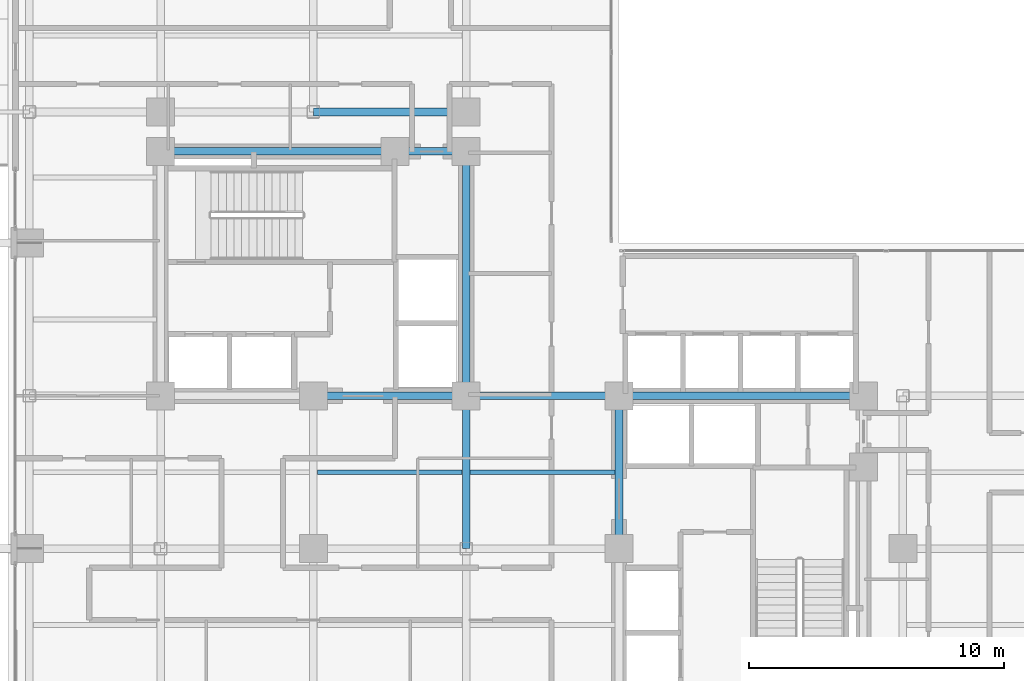
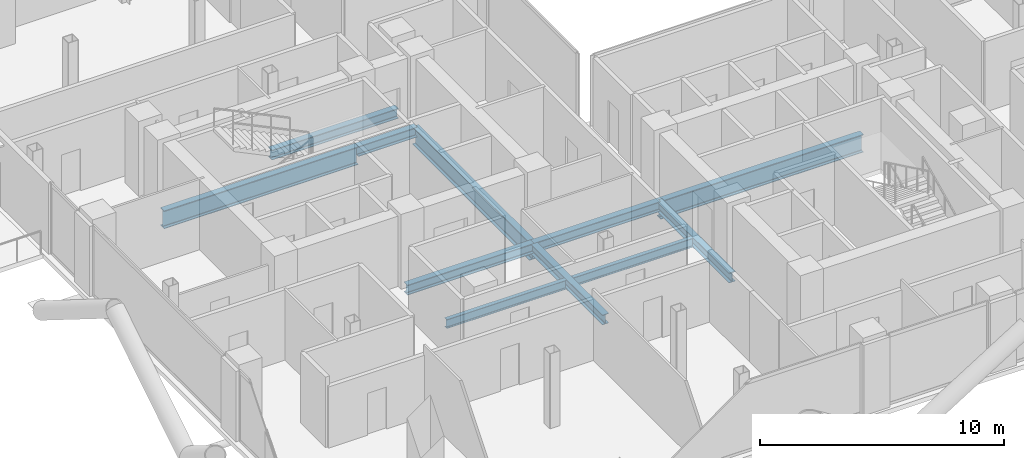
# One storey, part 8 of 28: 11 beams.
"""IFC4 building model written with IfcOpenShell, lengths in metres."""

from ifc_helpers import new_model, si_unit, direction, frame, origin, origin_2d, place, context, subcontext, project, spatial, i_section, extrude, material, material_profile, profile_set, type_object, element, save


model = new_model("IFC4")

# Units and contexts
model_context = context("Model", 3, precision=1e-05, world=origin(), true_north=direction((0.0, 1.0)))
body_context = subcontext(model_context, "Body", "Model", "MODEL_VIEW")
ifc_project = project(units=[si_unit("LENGTHUNIT", "METRE"), si_unit("AREAUNIT", "SQUARE_METRE"), si_unit("VOLUMEUNIT", "CUBIC_METRE"), si_unit("PLANEANGLEUNIT", "RADIAN"), si_unit("MASSUNIT", "GRAM", prefix="KILO"), si_unit("THERMODYNAMICTEMPERATUREUNIT", "KELVIN"), si_unit("POWERUNIT", "WATT")], contexts=[model_context])

# Site, building, storey
site_placement = place(None, origin())
site = spatial("IfcSite", under=ifc_project, at=site_placement, CompositionType="ELEMENT")
building_placement = place(site_placement, origin())
building = spatial("IfcBuilding", under=site, at=building_placement, Name="Svarakhadi Broadcast Tower", CompositionType="ELEMENT")
storey_placement = place(building_placement, frame((0.0, 0.0, 138.14990234375)))
storey = spatial("IfcBuildingStorey", under=building, at=storey_placement, Name="L33", CompositionType="ELEMENT", Elevation=138.14990234375)

# Beams
ifc_material_1 = material(Name="Steel S355J2 (IS 2062 E350C)", Category="steel")
ifc_material_profile_1 = material_profile(ifc_material_1, i_section(OverallWidth=0.18994140625, OverallDepth=0.449951171875, WebThickness=0.009521484375, FlangeThickness=0.0146484375, FilletRadius=0.02099609375, at=origin_2d()), Name="NPB 450x190x78")
ifc_profile_set_1 = profile_set([ifc_material_profile_1], Name="Steel S355J2 (IS 2062 E350C)")
beam_type_1 = type_object("IfcBeamType", Name="Beam_NPB450", PredefinedType="BEAM", material=ifc_profile_set_1)
for number, where, z_axis, x_axis, name in (
    (1, (12.159912109375, 15.0, -0.449951171875), (1.0, 0.0, 0.0), (0.0, 1.0, 0.0), "L33 Secondary Composite Beam SB013"),
    (2, (18.159912109375, 15.0, -0.449951171875), (1.0, 0.0, 0.0), (0.0, 1.0, 0.0), "L33 Secondary Composite Beam SB018"),
):
    element("IfcBeam", number, at=place(storey_placement, frame(where, z_axis=z_axis, x_axis=x_axis)), inside=storey, type_object=beam_type_1, Name=name, PredefinedType="BEAM", context=body_context, shape_type="SweptSolid", body=[
        extrude(i_section(OverallWidth=0.18994140625, OverallDepth=0.449951171875, WebThickness=0.009521484375, FlangeThickness=0.0146484375, FilletRadius=0.02099609375, at=origin_2d()), origin(), (0.0, 0.0, 1.0), 5.68017578125),
    ])
ifc_material_profile_2 = material_profile(ifc_material_1, i_section(OverallWidth=0.300048828125, OverallDepth=0.5, WebThickness=0.014404296875, FlangeThickness=0.028076171875, FilletRadius=0.027099609375, at=origin_2d()), Name="WPB 500x300x187")
ifc_profile_set_2 = profile_set([ifc_material_profile_2], Name="Steel S355J2 (IS 2062 E350C)")
beam_type_2 = type_object("IfcBeamType", Name="Girder_WPB500", PredefinedType="USERDEFINED", material=ifc_profile_set_2)
for number, where, z_axis, x_axis, name in (
    (3, (12.0, 18.0, -0.474853515625), (1.0, 0.0, 0.0), (0.0, 1.0, 0.0), "L33 Primary E-W Girder G025"),
    (4, (18.0, 18.0, -0.474853515625), (1.0, 0.0, 0.0), (0.0, 1.0, 0.0), "L33 Primary E-W Girder G026"),
):
    element("IfcBeam", number, at=place(storey_placement, frame(where, z_axis=z_axis, x_axis=x_axis)), inside=storey, type_object=beam_type_2, Name=name, ObjectType="GIRDER", PredefinedType="USERDEFINED", context=body_context, shape_type="SweptSolid", body=[
        extrude(i_section(OverallWidth=0.300048828125, OverallDepth=0.5, WebThickness=0.014404296875, FlangeThickness=0.028076171875, FilletRadius=0.027099609375, at=origin_2d()), origin(), (0.0, 0.0, 1.0), 6.0),
    ])
beam_1_placement = place(storey_placement, frame((15.199951171875, 27.60009765625, -0.474853515625), z_axis=(1.0, 0.0, 0.0), x_axis=(0.0, 1.0, 0.0)))
element("IfcBeam", 5, at=beam_1_placement, inside=storey, type_object=beam_type_2, Name="L33 Primary E-W Girder G031", ObjectType="GIRDER", PredefinedType="USERDEFINED", context=body_context, shape_type="SweptSolid", body=[
    extrude(i_section(OverallWidth=0.300048828125, OverallDepth=0.5, WebThickness=0.014404296875, FlangeThickness=0.028076171875, FilletRadius=0.027099609375, at=origin_2d()), origin(), (0.0, 0.0, 1.0), 2.800048828125),
])
for number, where, z_axis, x_axis, name in (
    (6, (12.0, 29.14990234375, -0.474853515625), (1.0, 0.0, 0.0), (0.0, 1.0, 0.0), "L33 Primary E-W Girder G034"),
    (7, (18.0, 12.0, -0.474853515625), (0.0, 1.0, 0.0), (-1.0, 0.0, 0.0), "L33 Primary N-S Girder G058"),
    (8, (24.0, 12.0, -0.474853515625), (0.0, 1.0, 0.0), (-1.0, 0.0, 0.0), "L33 Primary N-S Girder G064"),
):
    element("IfcBeam", number, at=place(storey_placement, frame(where, z_axis=z_axis, x_axis=x_axis)), inside=storey, type_object=beam_type_2, Name=name, ObjectType="GIRDER", PredefinedType="USERDEFINED", context=body_context, shape_type="SweptSolid", body=[
        extrude(i_section(OverallWidth=0.300048828125, OverallDepth=0.5, WebThickness=0.014404296875, FlangeThickness=0.028076171875, FilletRadius=0.027099609375, at=origin_2d()), origin(), (0.0, 0.0, 1.0), 6.0),
    ])
ifc_material_2 = material(Name="Steel S460ML (IS 2062 E450BR)", Category="steel")
ifc_material_profile_3 = material_profile(ifc_material_2, i_section(OverallWidth=0.300048828125, OverallDepth=0.89990234375, WebThickness=0.0185546875, FlangeThickness=0.034912109375, FilletRadius=0.030029296875, at=origin_2d()), Name="WPB 900x300x291")
ifc_profile_set_3 = profile_set([ifc_material_profile_3], Name="Steel S460ML (IS 2062 E450BR)")
beam_type_3 = type_object("IfcBeamType", Name="Girder_WPB900", PredefinedType="USERDEFINED", material=ifc_profile_set_3)
beam_2_placement = place(storey_placement, frame((24.0, 18.0, -0.6748046875), z_axis=(1.0, 0.0, 0.0), x_axis=(0.0, 1.0, 0.0)))
element("IfcBeam", 9, at=beam_2_placement, inside=storey, type_object=beam_type_3, Name="L33 Primary E-W Girder G027", ObjectType="GIRDER", PredefinedType="USERDEFINED", context=body_context, shape_type="SweptSolid", body=[
    extrude(i_section(OverallWidth=0.300048828125, OverallDepth=0.89990234375, WebThickness=0.0185546875, FlangeThickness=0.034912109375, FilletRadius=0.030029296875, at=origin_2d()), origin(), (0.0, 0.0, 1.0), 9.60009765625),
])
beam_3_placement = place(storey_placement, frame((6.0, 27.60009765625, -0.6748046875), z_axis=(1.0, 0.0, 0.0), x_axis=(0.0, 1.0, 0.0)))
element("IfcBeam", 10, at=beam_3_placement, inside=storey, type_object=beam_type_3, Name="L33 Primary E-W Girder G030", ObjectType="GIRDER", PredefinedType="USERDEFINED", context=body_context, shape_type="SweptSolid", body=[
    extrude(i_section(OverallWidth=0.300048828125, OverallDepth=0.89990234375, WebThickness=0.0185546875, FlangeThickness=0.034912109375, FilletRadius=0.030029296875, at=origin_2d()), origin(), (0.0, 0.0, 1.0), 9.199951171875),
])
beam_4_placement = place(storey_placement, frame((18.0, 18.0, -0.6748046875), z_axis=(0.0, 1.0, 0.0), x_axis=(-1.0, 0.0, 0.0)))
element("IfcBeam", 11, at=beam_4_placement, inside=storey, type_object=beam_type_3, Name="L33 Primary N-S Girder G059", ObjectType="GIRDER", PredefinedType="USERDEFINED", context=body_context, shape_type="SweptSolid", body=[
    extrude(i_section(OverallWidth=0.300048828125, OverallDepth=0.89990234375, WebThickness=0.0185546875, FlangeThickness=0.034912109375, FilletRadius=0.030029296875, at=origin_2d()), origin(), (0.0, 0.0, 1.0), 9.60009765625),
])

save(model, "model.ifc")
